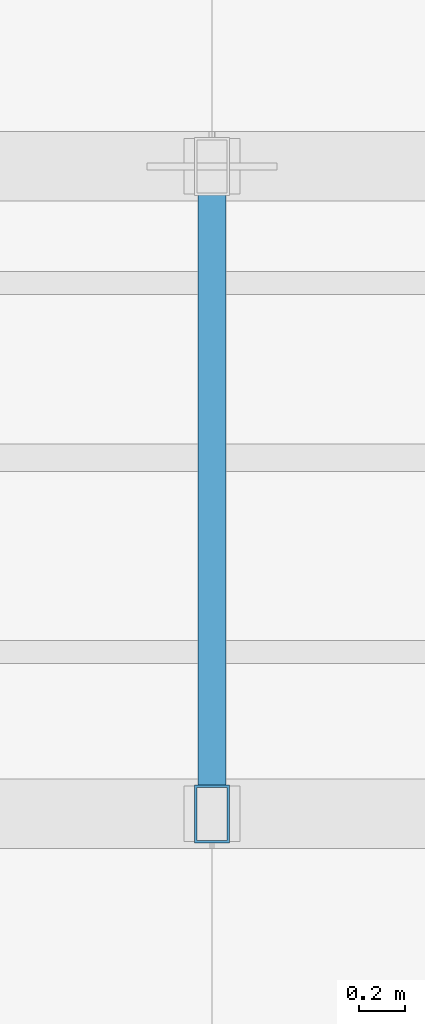
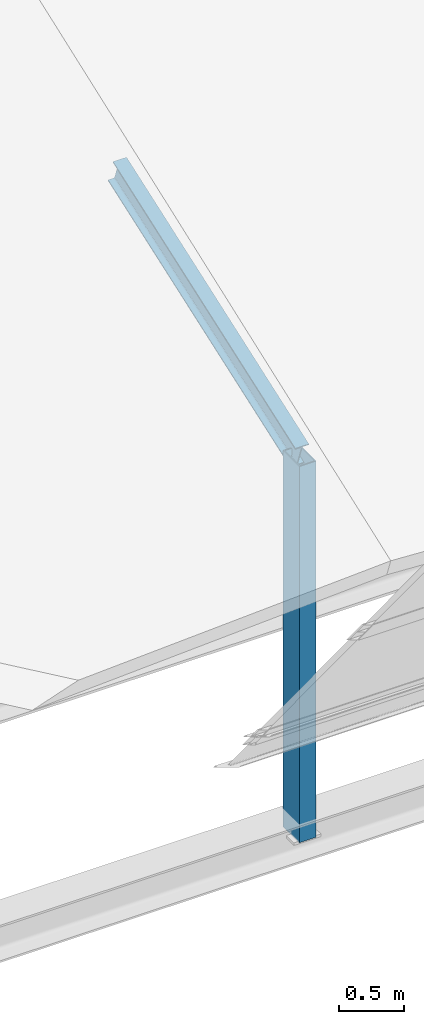
# One storey, part 35 of 141: 2 members.
"""IFC4 building model written with IfcOpenShell, lengths in metres."""

from ifc_helpers import new_model, si_unit, direction, frame, origin, origin_2d, place, context, subcontext, project, spatial, hollow_rectangle, i_section, extrude, material, material_profile, profile_set, type_object, element, save


model = new_model("IFC4")

# Units and contexts
model_context = context("Model", 3, precision=1e-05, world=origin(), true_north=direction((0.0, 1.0)))
body_context = subcontext(model_context, "Body", "Model", "MODEL_VIEW")
ifc_project = project(units=[si_unit("LENGTHUNIT", "METRE"), si_unit("AREAUNIT", "SQUARE_METRE"), si_unit("VOLUMEUNIT", "CUBIC_METRE"), si_unit("PLANEANGLEUNIT", "RADIAN"), si_unit("MASSUNIT", "GRAM", prefix="KILO")], contexts=[model_context])

# Site, building, storey
site_placement = place(None, origin())
site = spatial("IfcSite", under=ifc_project, at=site_placement, CompositionType="ELEMENT")
building_placement = place(site_placement, origin())
building = spatial("IfcBuilding", under=site, at=building_placement, Name="Sundkrona Museum", CompositionType="ELEMENT")
storey_placement = place(building_placement, frame((0.0, 0.0, 34.0)))
storey = spatial("IfcBuildingStorey", under=building, at=storey_placement, Name="RF", CompositionType="ELEMENT", Elevation=34.0)

# Members
ifc_material = material(Name="Steel S355J2", Category="steel")
ifc_material_profile_1 = material_profile(ifc_material, i_section(OverallWidth=0.1201171875, OverallDepth=0.239990234375, WebThickness=0.006103515625, FlangeThickness=0.009765625, FilletRadius=0.014892578125, at=origin_2d()), Name="IPE 240")
ifc_profile_set_1 = profile_set([ifc_material_profile_1], Name="Steel S355J2")
member_type_1 = type_object("IfcMemberType", Name="PR-IPE240", PredefinedType="PURLIN", material=ifc_profile_set_1)
member_1_placement = place(storey_placement, frame((144.0, 12.60009765625, 3.275390625), z_axis=(0.0, 0.942745736025, 0.333512334414), x_axis=(-1.0, 0.0, 0.0)))
element("IfcMember", 1, at=member_1_placement, inside=storey, type_object=member_type_1, Name="RFS-1 Sawtooth Bay 3 Transverse Rafter 4", PredefinedType="PURLIN", context=body_context, shape_type="SweptSolid", body=[
    extrude(i_section(OverallWidth=0.1201171875, OverallDepth=0.239990234375, WebThickness=0.006103515625, FlangeThickness=0.009765625, FilletRadius=0.014892578125, at=origin_2d()), origin(), (0.0, 0.0, 1.0), 2.9697265625),
])
ifc_material_profile_2 = material_profile(ifc_material, hollow_rectangle(XDim=0.14990234375, YDim=0.25, WallThickness=0.010009765625, at=origin_2d()), Name="RHS 250x150x10.0")
ifc_profile_set_2 = profile_set([ifc_material_profile_2], Name="Steel S355J2")
member_type_2 = type_object("IfcMemberType", Name="ST-RHS250", PredefinedType="STRUT", material=ifc_profile_set_2)
member_2_placement = place(storey_placement, frame((144.0, 12.60009765625, -0.25), z_axis=(0.0, 0.0, 1.0), x_axis=(1.0, 0.0, 0.0)))
element("IfcMember", 2, at=member_2_placement, inside=storey, type_object=member_type_2, Name="RFS-1 Sawtooth Bay 3 Valley Post 4", PredefinedType="STRUT", context=body_context, shape_type="SweptSolid", body=[
    extrude(hollow_rectangle(XDim=0.14990234375, YDim=0.25, WallThickness=0.010009765625, at=origin_2d()), origin(), (0.0, 0.0, 1.0), 3.525390625),
])

save(model, "model.ifc")
